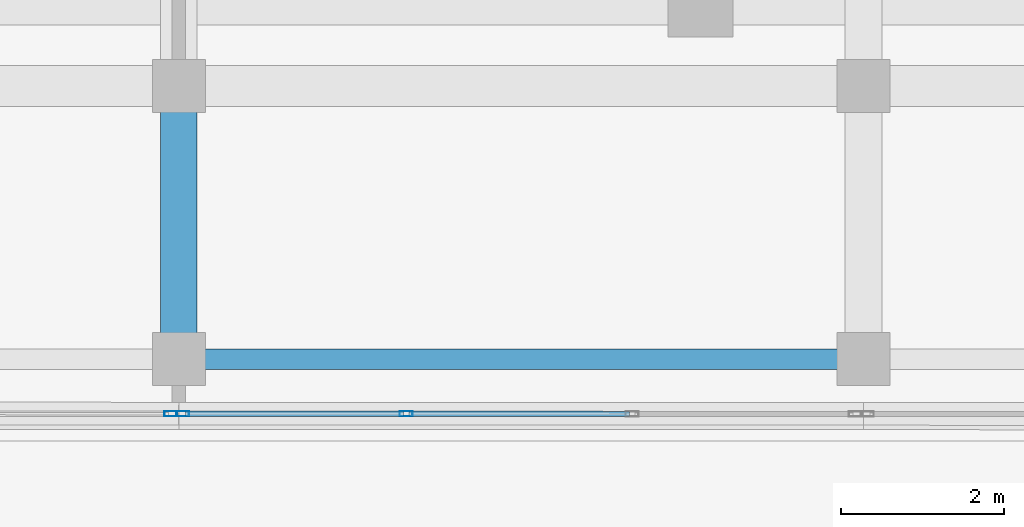
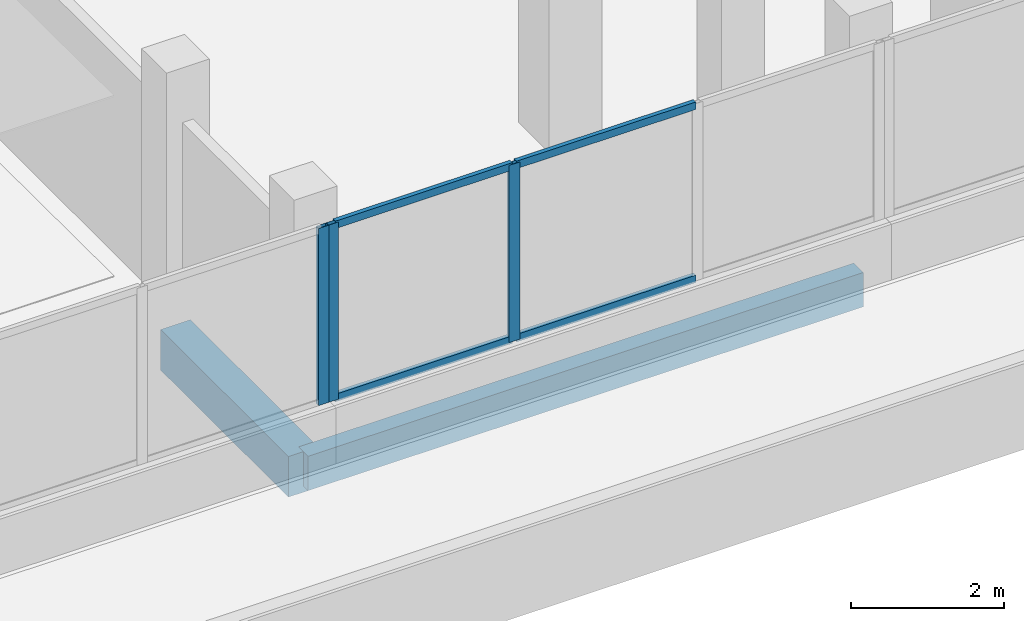
# One storey, part 9 of 78: 7 members, 2 beams, 2 elements without a shape of their own.
"""IFC4 building model written with IfcOpenShell, lengths in metres."""

from ifc_helpers import new_model, si_unit, direction, frame, origin, origin_2d, place, context, subcontext, project, spatial, rectangle, hollow_rectangle, extrude, material, material_profile, profile_set, type_object, element, aggregate, save


model = new_model("IFC4")

# Units and contexts
model_context = context("Model", 3, precision=1e-05, world=origin(), true_north=direction((0.0, 1.0)))
body_context = subcontext(model_context, "Body", "Model", "MODEL_VIEW")
ifc_project = project(units=[si_unit("LENGTHUNIT", "METRE"), si_unit("AREAUNIT", "SQUARE_METRE"), si_unit("VOLUMEUNIT", "CUBIC_METRE"), si_unit("PLANEANGLEUNIT", "RADIAN"), si_unit("MASSUNIT", "GRAM", prefix="KILO")], contexts=[model_context])

# Site, building, storey
site_placement = place(None, origin())
site = spatial("IfcSite", under=ifc_project, at=site_placement, CompositionType="ELEMENT")
building_placement = place(site_placement, origin())
building = spatial("IfcBuilding", under=site, at=building_placement, Name="Selatvlak General Hospital", CompositionType="ELEMENT")
storey_placement = place(building_placement, frame((0.0, 0.0, 23.25)))
storey = spatial("IfcBuildingStorey", under=building, at=storey_placement, Name="L05", CompositionType="ELEMENT", Elevation=23.25)

# Beams
ifc_material_1 = material(Name="Concrete C40/50", Category="concrete")
ifc_material_profile_1 = material_profile(ifc_material_1, rectangle(XDim=0.449951171875, YDim=0.64990234375, at=origin_2d()), Name="RC-BM 450x650")
ifc_profile_set_1 = profile_set([ifc_material_profile_1], Name="Concrete C40/50")
beam_type_1 = type_object("IfcBeamType", Name="BM-G04", PredefinedType="BEAM", material=ifc_profile_set_1)
beam_1_placement = place(storey_placement, frame((64.800048828125, 88.64990234375, -0.60498046875), z_axis=(0.0, 1.0, 0.0), x_axis=(-1.0, 0.0, 0.0)))
element("IfcBeam", 1, at=beam_1_placement, inside=storey, type_object=beam_type_1, Name="Beam BMR-L05-2009", PredefinedType="BEAM", context=body_context, shape_type="SweptSolid", body=[
    extrude(rectangle(XDim=0.449951171875, YDim=0.64990234375, at=origin_2d()), origin(), (0.0, 0.0, 1.0), 3.35009765625),
])
ifc_material_profile_2 = material_profile(ifc_material_1, rectangle(XDim=0.25, YDim=0.550048828125, at=origin_2d()), Name="RC-SP 250x550")
ifc_profile_set_2 = profile_set([ifc_material_profile_2], Name="Concrete C40/50")
beam_type_2 = type_object("IfcBeamType", Name="BM-SP2", PredefinedType="SPANDREL", material=ifc_profile_set_2)
beam_2_placement = place(storey_placement, frame((64.800048828125, 88.64990234375, -0.554931640625), z_axis=(1.0, 0.0, 0.0), x_axis=(0.0, 1.0, 0.0)))
element("IfcBeam", 2, at=beam_2_placement, inside=storey, type_object=beam_type_2, Name="Beam BMR-L05-1887", PredefinedType="SPANDREL", context=body_context, shape_type="SweptSolid", body=[
    extrude(rectangle(XDim=0.25, YDim=0.550048828125, at=origin_2d()), origin(), (0.0, 0.0, 1.0), 8.39990234375),
])

# Curtain wall, members
ifc_material_2 = material(Name="Solar-control Low-E double glazing", Category="glass")
curtain_wall_type_1 = type_object("IfcCurtainWallType", Name="CW-CW-02", PredefinedType="USERDEFINED", material=ifc_material_2)
curtain_wall_1_placement = place(storey_placement, origin())
curtain_wall_1 = element("IfcCurtainWall", 3, at=curtain_wall_1_placement, inside=storey, type_object=curtain_wall_type_1, Name="Glazed facade curtain wall CW-L05-0588", ObjectType="UNITISED CURTAIN WALL", PredefinedType="USERDEFINED")
ifc_material_3 = material(Name="Dark anodised aluminium mullion", Category="aluminium")
ifc_material_profile_3 = material_profile(ifc_material_3, hollow_rectangle(XDim=0.06494140625, YDim=0.159912109375, WallThickness=0.00390625, at=origin_2d()), Name="AL-MUL 65x160x4")
ifc_profile_set_3 = profile_set([ifc_material_profile_3], Name="Dark anodised aluminium mullion")
member_type_1 = type_object("IfcMemberType", Name="CWM-01", PredefinedType="MULLION", material=ifc_profile_set_3)
member_1_placement = place(storey_placement, frame((67.58837890625, 87.978759765625, 0.93994140625), z_axis=(0.0, 0.0, 1.0), x_axis=(-0.00048076918, -0.99999988443, 0.0)))
member_1 = element("IfcMember", 4, at=member_1_placement, type_object=member_type_1, Name="CW-02 mullion 3", PredefinedType="MULLION", context=body_context, shape_type="SweptSolid", body=[
    extrude(hollow_rectangle(XDim=0.06494140625, YDim=0.159912109375, WallThickness=0.00390625, at=origin_2d()), origin(), (0.0, 0.0, 1.0), 2.8349609375),
])
member_2_placement = place(storey_placement, frame((64.847412109375, 87.97998046875, 0.93994140625), z_axis=(0.0, 0.0, 1.0), x_axis=(-0.00048076918, -0.99999988443, 0.0)))
member_2 = element("IfcMember", 5, at=member_2_placement, type_object=member_type_1, Name="CW-02 mullion 4", PredefinedType="MULLION", context=body_context, shape_type="SweptSolid", body=[
    extrude(hollow_rectangle(XDim=0.06494140625, YDim=0.159912109375, WallThickness=0.00390625, at=origin_2d()), origin(), (0.0, 0.0, 1.0), 2.8349609375),
])

# Curtain wall, member
curtain_wall_type_2 = type_object("IfcCurtainWallType", Name="CW-CW-01", PredefinedType="USERDEFINED", material=ifc_material_2)
curtain_wall_2_placement = place(storey_placement, origin())
curtain_wall_2 = element("IfcCurtainWall", 6, at=curtain_wall_2_placement, inside=storey, type_object=curtain_wall_type_2, Name="Glazed facade curtain wall CW-L05-0589", ObjectType="UNITISED CURTAIN WALL", PredefinedType="USERDEFINED")
member_3_placement = place(storey_placement, frame((64.702392578125, 87.97998046875, 0.93994140625), z_axis=(0.0, 0.0, 1.0), x_axis=(-0.00048076918, -0.99999988443, 0.0)))
member_3 = element("IfcMember", 7, at=member_3_placement, type_object=member_type_1, Name="CW-01 mullion 1", PredefinedType="MULLION", context=body_context, shape_type="SweptSolid", body=[
    extrude(hollow_rectangle(XDim=0.06494140625, YDim=0.159912109375, WallThickness=0.00390625, at=origin_2d()), origin(), (0.0, 0.0, 1.0), 2.8349609375),
])
aggregate(curtain_wall_2, [member_3])

# Member
ifc_material_profile_4 = material_profile(ifc_material_3, hollow_rectangle(XDim=0.06494140625, YDim=0.1201171875, WallThickness=0.00390625, at=origin_2d()), Name="AL-TRN 65x120x4")
ifc_profile_set_4 = profile_set([ifc_material_profile_4], Name="Dark anodised aluminium mullion")
member_type_2 = type_object("IfcMemberType", Name="CWT-01", PredefinedType="USERDEFINED", material=ifc_profile_set_4)
member_4_placement = place(storey_placement, frame((70.3291015625, 87.977294921875, 0.972412109375), z_axis=(-0.999999853724, 0.000540881558, 0.0), x_axis=(-0.000540881558, -0.999999853724, 0.0)))
member_4 = element("IfcMember", 8, at=member_4_placement, type_object=member_type_2, Name="CW-02 transom 2.1", ObjectType="TRANSOM", PredefinedType="USERDEFINED", context=body_context, shape_type="SweptSolid", body=[
    extrude(hollow_rectangle(XDim=0.06494140625, YDim=0.1201171875, WallThickness=0.00390625, at=origin_2d()), origin(), (0.0, 0.0, 1.0), 2.708251953125),
])

member_5_placement = place(storey_placement, frame((70.3291015625, 87.977294921875, 3.742431640625), z_axis=(-0.999999853724, 0.000540881558, 0.0), x_axis=(-0.000540881558, -0.999999853724, 0.0)))
member_5 = element("IfcMember", 9, at=member_5_placement, type_object=member_type_2, Name="CW-02 transom 2.2", ObjectType="TRANSOM", PredefinedType="USERDEFINED", context=body_context, shape_type="SweptSolid", body=[
    extrude(hollow_rectangle(XDim=0.06494140625, YDim=0.1201171875, WallThickness=0.00390625, at=origin_2d()), origin(), (0.0, 0.0, 1.0), 2.708251953125),
])

member_6_placement = place(storey_placement, frame((67.555908203125, 87.978759765625, 0.972412109375), z_axis=(-0.999999895958, 0.000456162711, 0.0), x_axis=(-0.000456162711, -0.999999895958, 0.0)))
member_6 = element("IfcMember", 10, at=member_6_placement, type_object=member_type_2, Name="CW-02 transom 3.1", ObjectType="TRANSOM", PredefinedType="USERDEFINED", context=body_context, shape_type="SweptSolid", body=[
    extrude(hollow_rectangle(XDim=0.06494140625, YDim=0.1201171875, WallThickness=0.00390625, at=origin_2d()), origin(), (0.0, 0.0, 1.0), 2.676025390625),
])

member_7_placement = place(storey_placement, frame((67.555908203125, 87.978759765625, 3.742431640625), z_axis=(-0.999999895958, 0.000456162711, 0.0), x_axis=(-0.000456162711, -0.999999895958, 0.0)))
member_7 = element("IfcMember", 11, at=member_7_placement, type_object=member_type_2, Name="CW-02 transom 3.2", ObjectType="TRANSOM", PredefinedType="USERDEFINED", context=body_context, shape_type="SweptSolid", body=[
    extrude(hollow_rectangle(XDim=0.06494140625, YDim=0.1201171875, WallThickness=0.00390625, at=origin_2d()), origin(), (0.0, 0.0, 1.0), 2.676025390625),
])

aggregate(curtain_wall_1, [member_1, member_2, member_4, member_5, member_6, member_7])

save(model, "model.ifc")
